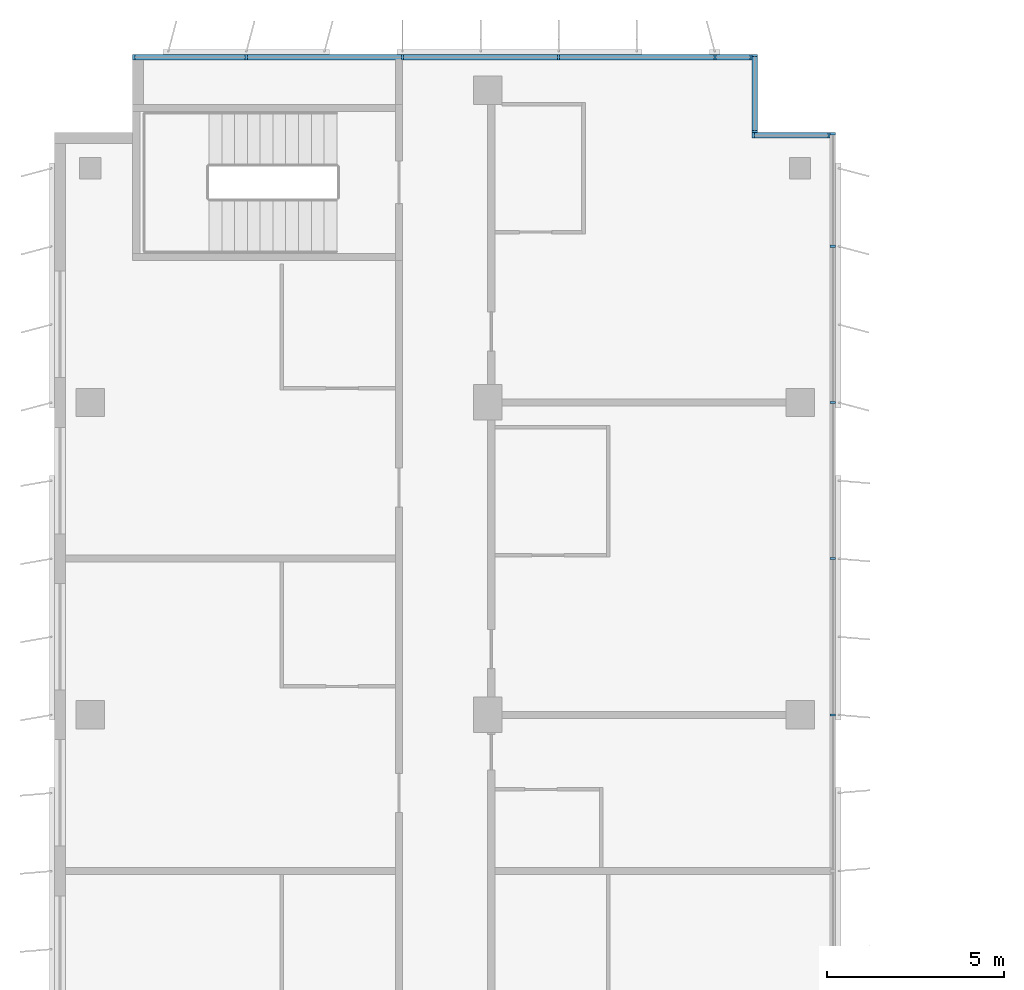
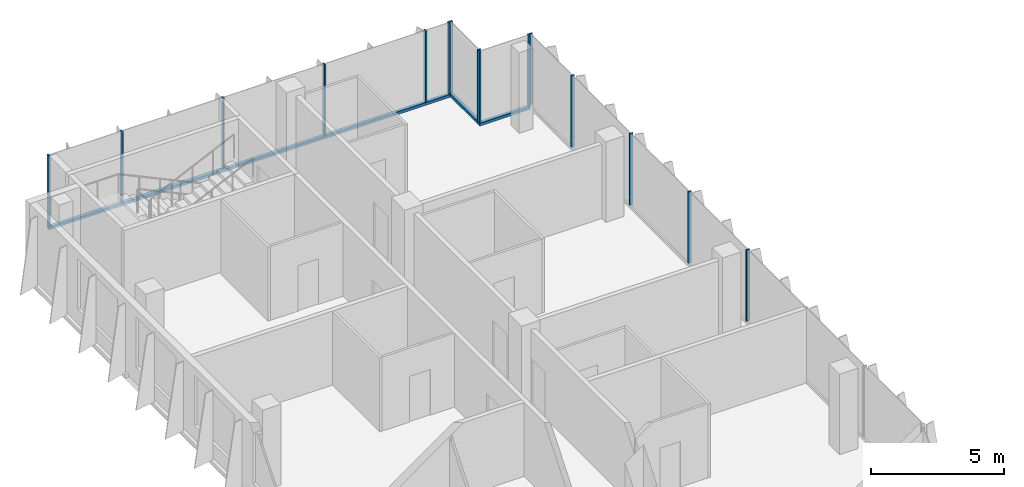
# One storey, part 6 of 15: 18 members, 4 elements without a shape of their own.
"""IFC4 building model written with IfcOpenShell, lengths in metres."""

from ifc_helpers import new_model, si_unit, direction, frame, origin, origin_2d, place, context, subcontext, project, spatial, rectangle, extrude, source, transform, mapped, material, material_profile, profile_set, type_object, element, aggregate, save


model = new_model("IFC4")

# Units and contexts
model_context = context("Model", 3, precision=1e-05, world=origin(), true_north=direction((0.0, 1.0)))
body_context = subcontext(model_context, "Body", "Model", "MODEL_VIEW")
ifc_project = project(units=[si_unit("LENGTHUNIT", "METRE"), si_unit("AREAUNIT", "SQUARE_METRE"), si_unit("VOLUMEUNIT", "CUBIC_METRE"), si_unit("PLANEANGLEUNIT", "RADIAN"), si_unit("MASSUNIT", "GRAM", prefix="KILO")], contexts=[model_context])

# Site, building, storey
site_placement = place(None, origin())
site = spatial("IfcSite", under=ifc_project, at=site_placement, CompositionType="ELEMENT")
building_placement = place(site_placement, origin())
building = spatial("IfcBuilding", under=site, at=building_placement, Name="Kemantara Hotel Tower", CompositionType="ELEMENT")
storey_placement = place(building_placement, frame((0.0, 0.0, 298.10009765625)))
storey = spatial("IfcBuildingStorey", under=building, at=storey_placement, Name="L75", CompositionType="ELEMENT", Elevation=298.10009765625)

# Curtain wall, member
ifc_material_1 = material(Name="Low-E tinted double insulated glass 36 mm", Category="glass")
curtain_wall_type = type_object("IfcCurtainWallType", Name="TOWER CURTAIN WALL, FRONT FACES", PredefinedType="USERDEFINED", material=ifc_material_1)
curtain_wall_1_placement = place(storey_placement, origin())
curtain_wall_1 = element("IfcCurtainWall", 1, at=curtain_wall_1_placement, inside=storey, type_object=curtain_wall_type, Name="CW4 L75 T4-R02-1", ObjectType="TOWER CURTAIN WALL, FRONT FACES", PredefinedType="USERDEFINED")
ifc_material_2 = material(Name="Aluminium 6063-T6 bronze anodised", Category="aluminium")
ifc_material_profile_1 = material_profile(ifc_material_2, rectangle(XDim=0.14990234375, YDim=0.1201171875, at=origin_2d()), Name="TOWER CURTAIN WALL, FRONT FACES TRANSOM")
ifc_profile_set_1 = profile_set([ifc_material_profile_1], Name="Aluminium 6063-T6 bronze anodised")
member_type_1 = type_object("IfcMemberType", Name="TOWER CURTAIN WALL, FRONT FACES TRANSOM", PredefinedType="USERDEFINED", material=ifc_profile_set_1)
member_1_placement = place(storey_placement, frame((19.64990234375, 63.52490234375, 0.059814453125), z_axis=(-1.0, 0.0, 0.0), x_axis=(0.0, -1.0, 0.0)))
member_1 = element("IfcMember", 2, at=member_1_placement, type_object=member_type_1, Name="CW4 sill transom T4-R02-1", ObjectType="TRANSOM", PredefinedType="USERDEFINED", context=body_context, shape_type="SweptSolid", body=[
    extrude(rectangle(XDim=0.14990234375, YDim=0.1201171875, at=origin_2d()), origin(), (0.0, 0.0, 1.0), 17.449951171875),
])

curtain_wall_2_placement = place(storey_placement, origin())
curtain_wall_2 = element("IfcCurtainWall", 3, at=curtain_wall_2_placement, inside=storey, type_object=curtain_wall_type, Name="CW4 L75 T4-R00-1", ObjectType="TOWER CURTAIN WALL, FRONT FACES", PredefinedType="USERDEFINED")
member_2_placement = place(storey_placement, frame((21.85009765625, 61.324951171875, 0.059814453125), z_axis=(-1.0, 0.0, 0.0), x_axis=(0.0, -1.0, 0.0)))
member_2 = element("IfcMember", 4, at=member_2_placement, type_object=member_type_1, Name="CW4 sill transom T4-R00-1", ObjectType="TRANSOM", PredefinedType="USERDEFINED", context=body_context, shape_type="SweptSolid", body=[
    extrude(rectangle(XDim=0.14990234375, YDim=0.1201171875, at=origin_2d()), origin(), (0.0, 0.0, 1.0), 2.2001953125),
])

curtain_wall_3_placement = place(storey_placement, origin())
curtain_wall_3 = element("IfcCurtainWall", 5, at=curtain_wall_3_placement, inside=storey, type_object=curtain_wall_type, Name="CW4 L75 T4-R01-1", ObjectType="TOWER CURTAIN WALL, FRONT FACES", PredefinedType="USERDEFINED")
member_3_placement = place(storey_placement, frame((19.72509765625, 61.39990234375, 0.059814453125), z_axis=(0.0, 1.0, 0.0), x_axis=(-1.0, 0.0, 0.0)))
member_3 = element("IfcMember", 6, at=member_3_placement, type_object=member_type_1, Name="CW4 sill transom T4-R01-1", ObjectType="TRANSOM", PredefinedType="USERDEFINED", context=body_context, shape_type="SweptSolid", body=[
    extrude(rectangle(XDim=0.14990234375, YDim=0.1201171875, at=origin_2d()), origin(), (0.0, 0.0, 1.0), 2.2001953125),
])

# Member
ifc_material_profile_2 = material_profile(ifc_material_2, rectangle(XDim=0.14990234375, YDim=0.06005859375, at=origin_2d()), Name="TOWER CURTAIN WALL, FRONT FACES MULLION")
ifc_profile_set_2 = profile_set([ifc_material_profile_2], Name="Aluminium 6063-T6 bronze anodised")
member_type_2 = type_object("IfcMemberType", Name="TOWER CURTAIN WALL, FRONT FACES MULLION", PredefinedType="MULLION", material=ifc_profile_set_2)
shared_shape = source(origin(), body_context, "Body", "SweptSolid", [
    extrude(rectangle(XDim=0.14990234375, YDim=0.06005859375, at=origin_2d()), origin(), (0.0, 0.0, 1.0), 3.280029296875),
])
member_4_placement = place(storey_placement, frame((19.6201171875, 63.52490234375, 0.119873046875), z_axis=(0.0, 0.0, 1.0), x_axis=(0.0, -1.0, 0.0)))
member_4 = element("IfcMember", 7, at=member_4_placement, type_object=member_type_2, Name="CW4 mullion T4-R02-1.1", PredefinedType="MULLION", context=body_context, shape_type="MappedRepresentation", body=[
    mapped(shared_shape, transform((0.0, 0.0, 0.0))),
])

member_5_placement = place(storey_placement, frame((18.60009765625, 63.52490234375, 0.119873046875), z_axis=(0.0, 0.0, 1.0), x_axis=(0.0, -1.0, 0.0)))
member_5 = element("IfcMember", 8, at=member_5_placement, type_object=member_type_2, Name="CW4 mullion T4-R02-1.2", PredefinedType="MULLION", context=body_context, shape_type="MappedRepresentation", body=[
    mapped(shared_shape, transform((0.0, 0.0, 0.0))),
])

member_6_placement = place(storey_placement, frame((14.199951171875, 63.52490234375, 0.119873046875), z_axis=(0.0, 0.0, 1.0), x_axis=(0.0, -1.0, 0.0)))
member_6 = element("IfcMember", 9, at=member_6_placement, type_object=member_type_2, Name="CW4 mullion T4-R02-1.3", PredefinedType="MULLION", context=body_context, shape_type="MappedRepresentation", body=[
    mapped(shared_shape, transform((0.0, 0.0, 0.0))),
])

member_7_placement = place(storey_placement, frame((9.800048828125, 63.52490234375, 0.119873046875), z_axis=(0.0, 0.0, 1.0), x_axis=(0.0, -1.0, 0.0)))
member_7 = element("IfcMember", 10, at=member_7_placement, type_object=member_type_2, Name="CW4 mullion T4-R02-1.4", PredefinedType="MULLION", context=body_context, shape_type="MappedRepresentation", body=[
    mapped(shared_shape, transform((0.0, 0.0, 0.0))),
])

member_8_placement = place(storey_placement, frame((5.39990234375, 63.52490234375, 0.119873046875), z_axis=(0.0, 0.0, 1.0), x_axis=(0.0, -1.0, 0.0)))
member_8 = element("IfcMember", 11, at=member_8_placement, type_object=member_type_2, Name="CW4 mullion T4-R02-1.5", PredefinedType="MULLION", context=body_context, shape_type="MappedRepresentation", body=[
    mapped(shared_shape, transform((0.0, 0.0, 0.0))),
])

member_9_placement = place(storey_placement, frame((2.22998046875, 63.52490234375, 0.119873046875), z_axis=(0.0, 0.0, 1.0), x_axis=(0.0, -1.0, 0.0)))
member_9 = element("IfcMember", 12, at=member_9_placement, type_object=member_type_2, Name="CW4 mullion T4-R02-1.6", PredefinedType="MULLION", context=body_context, shape_type="MappedRepresentation", body=[
    mapped(shared_shape, transform((0.0, 0.0, 0.0))),
])

aggregate(curtain_wall_1, [member_1, member_4, member_5, member_6, member_7, member_8, member_9])

# Curtain wall, members
curtain_wall_4_placement = place(storey_placement, origin())
curtain_wall_4 = element("IfcCurtainWall", 13, at=curtain_wall_4_placement, inside=storey, type_object=curtain_wall_type, Name="CW4 L75 T4-R15-1", ObjectType="TOWER CURTAIN WALL, FRONT FACES", PredefinedType="USERDEFINED")
member_10_placement = place(storey_placement, frame((21.925048828125, 45.0, 0.119873046875), z_axis=(0.0, 0.0, 1.0), x_axis=(-1.0, 0.0, 0.0)))
member_10 = element("IfcMember", 14, at=member_10_placement, type_object=member_type_2, Name="CW4 mullion T4-R15-1.6", PredefinedType="MULLION", context=body_context, shape_type="MappedRepresentation", body=[
    mapped(shared_shape, transform((0.0, 0.0, 0.0))),
])
member_11_placement = place(storey_placement, frame((21.925048828125, 49.39990234375, 0.119873046875), z_axis=(0.0, 0.0, 1.0), x_axis=(-1.0, 0.0, 0.0)))
member_11 = element("IfcMember", 15, at=member_11_placement, type_object=member_type_2, Name="CW4 mullion T4-R15-1.7", PredefinedType="MULLION", context=body_context, shape_type="MappedRepresentation", body=[
    mapped(shared_shape, transform((0.0, 0.0, 0.0))),
])
member_12_placement = place(storey_placement, frame((21.925048828125, 53.800048828125, 0.119873046875), z_axis=(0.0, 0.0, 1.0), x_axis=(-1.0, 0.0, 0.0)))
member_12 = element("IfcMember", 16, at=member_12_placement, type_object=member_type_2, Name="CW4 mullion T4-R15-1.8", PredefinedType="MULLION", context=body_context, shape_type="MappedRepresentation", body=[
    mapped(shared_shape, transform((0.0, 0.0, 0.0))),
])
member_13_placement = place(storey_placement, frame((21.925048828125, 58.199951171875, 0.119873046875), z_axis=(0.0, 0.0, 1.0), x_axis=(-1.0, 0.0, 0.0)))
member_13 = element("IfcMember", 17, at=member_13_placement, type_object=member_type_2, Name="CW4 mullion T4-R15-1.9", PredefinedType="MULLION", context=body_context, shape_type="MappedRepresentation", body=[
    mapped(shared_shape, transform((0.0, 0.0, 0.0))),
])
member_14_placement = place(storey_placement, frame((21.925048828125, 61.3701171875, 0.119873046875), z_axis=(0.0, 0.0, 1.0), x_axis=(-1.0, 0.0, 0.0)))
member_14 = element("IfcMember", 18, at=member_14_placement, type_object=member_type_2, Name="CW4 mullion T4-R15-1.10", PredefinedType="MULLION", context=body_context, shape_type="MappedRepresentation", body=[
    mapped(shared_shape, transform((0.0, 0.0, 0.0))),
])
aggregate(curtain_wall_4, [member_10, member_11, member_12, member_13, member_14])

# Member
member_15_placement = place(storey_placement, frame((21.820068359375, 61.324951171875, 0.119873046875), z_axis=(0.0, 0.0, 1.0), x_axis=(0.0, -1.0, 0.0)))
member_15 = element("IfcMember", 19, at=member_15_placement, type_object=member_type_2, Name="CW4 mullion T4-R00-1.1", PredefinedType="MULLION", context=body_context, shape_type="MappedRepresentation", body=[
    mapped(shared_shape, transform((0.0, 0.0, 0.0))),
])

member_16_placement = place(storey_placement, frame((19.679931640625, 61.324951171875, 0.119873046875), z_axis=(0.0, 0.0, 1.0), x_axis=(0.0, -1.0, 0.0)))
member_16 = element("IfcMember", 20, at=member_16_placement, type_object=member_type_2, Name="CW4 mullion T4-R00-1.2", PredefinedType="MULLION", context=body_context, shape_type="MappedRepresentation", body=[
    mapped(shared_shape, transform((0.0, 0.0, 0.0))),
])

aggregate(curtain_wall_2, [member_2, member_15, member_16])

member_17_placement = place(storey_placement, frame((19.72509765625, 61.429931640625, 0.119873046875), z_axis=(0.0, 0.0, 1.0), x_axis=(-1.0, 0.0, 0.0)))
member_17 = element("IfcMember", 21, at=member_17_placement, type_object=member_type_2, Name="CW4 mullion T4-R01-1.1", PredefinedType="MULLION", context=body_context, shape_type="MappedRepresentation", body=[
    mapped(shared_shape, transform((0.0, 0.0, 0.0))),
])

member_18_placement = place(storey_placement, frame((19.72509765625, 63.570068359375, 0.119873046875), z_axis=(0.0, 0.0, 1.0), x_axis=(-1.0, 0.0, 0.0)))
member_18 = element("IfcMember", 22, at=member_18_placement, type_object=member_type_2, Name="CW4 mullion T4-R01-1.2", PredefinedType="MULLION", context=body_context, shape_type="MappedRepresentation", body=[
    mapped(shared_shape, transform((0.0, 0.0, 0.0))),
])

aggregate(curtain_wall_3, [member_3, member_17, member_18])

save(model, "model.ifc")
